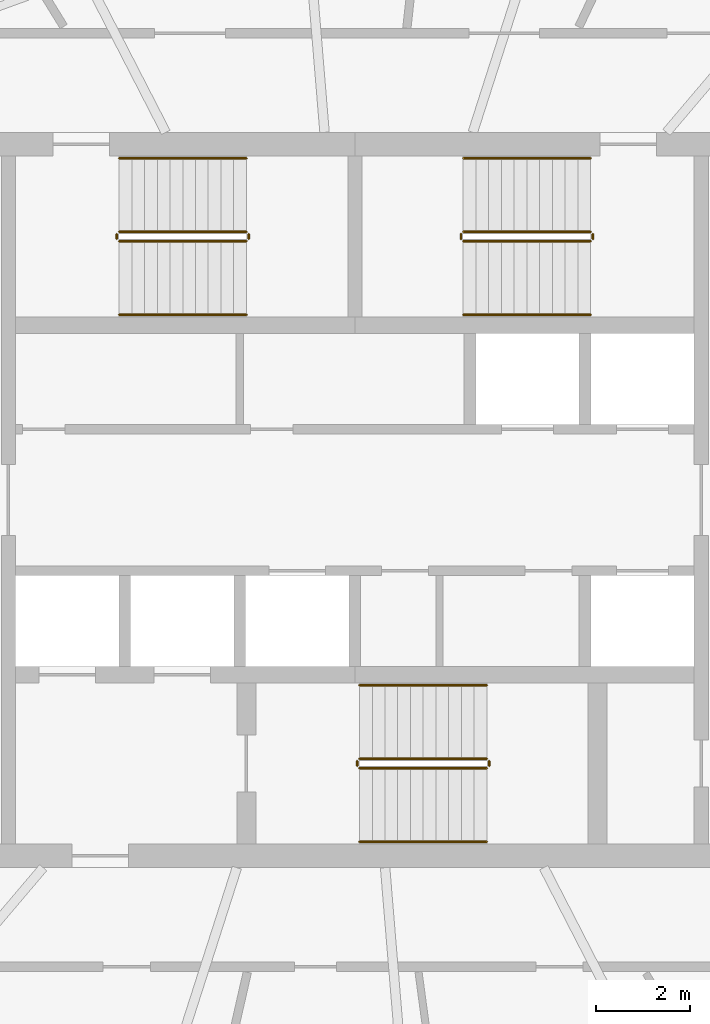
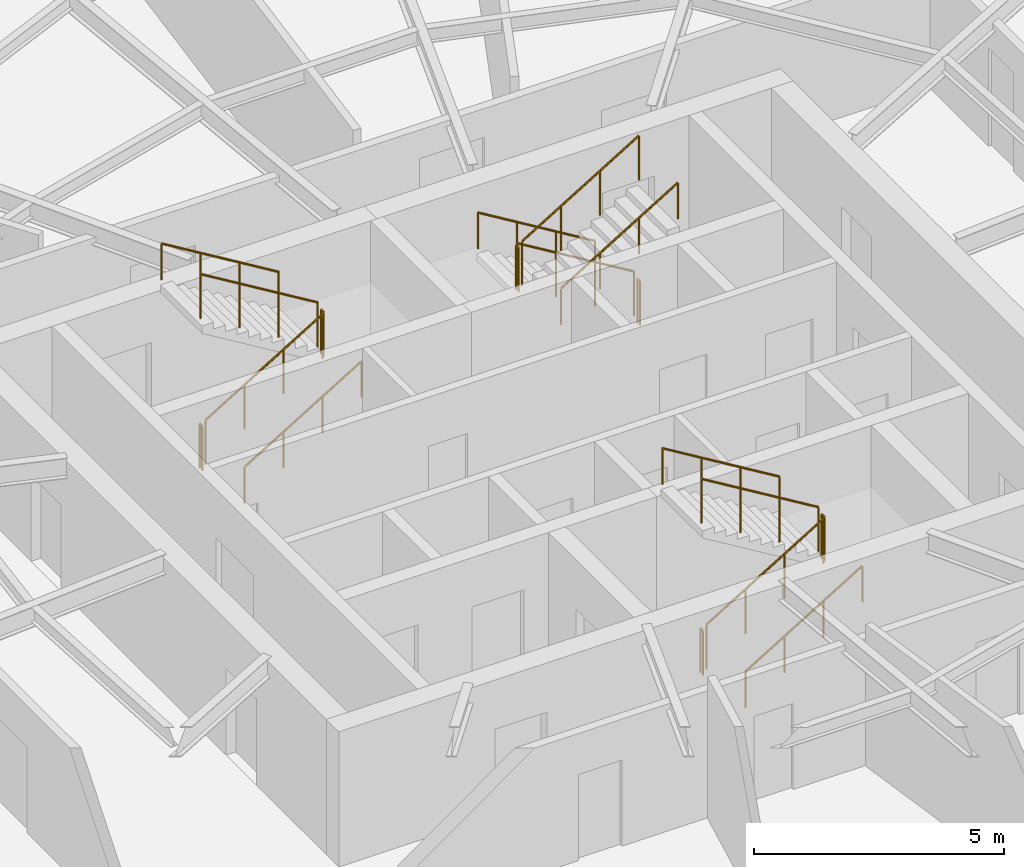
# One storey, part 13 of 14: 18 railings.
"""IFC4 building model written with IfcOpenShell, lengths in metres."""

from ifc_helpers import new_model, si_unit, direction, frame, origin, origin_2d, place, context, subcontext, project, spatial, circle, extrude, material, type_object, element, save


model = new_model("IFC4")

# Units and contexts
model_context = context("Model", 3, precision=1e-05, world=origin(), true_north=direction((0.0, 1.0)))
body_context = subcontext(model_context, "Body", "Model", "MODEL_VIEW")
ifc_project = project(units=[si_unit("LENGTHUNIT", "METRE"), si_unit("AREAUNIT", "SQUARE_METRE"), si_unit("VOLUMEUNIT", "CUBIC_METRE"), si_unit("PLANEANGLEUNIT", "RADIAN"), si_unit("MASSUNIT", "GRAM", prefix="KILO")], contexts=[model_context])

# Site, building, storey
site_placement = place(None, origin())
site = spatial("IfcSite", under=ifc_project, at=site_placement, CompositionType="ELEMENT")
building_placement = place(site_placement, origin())
building = spatial("IfcBuilding", under=site, at=building_placement, Name="Vermilion Reach Broadcast Tower", CompositionType="ELEMENT")
storey_placement = place(building_placement, frame((0.0, 0.0, 268.5)))
storey = spatial("IfcBuildingStorey", under=building, at=storey_placement, Name="L66", CompositionType="ELEMENT", Elevation=268.5)

# Railings
ifc_material_1 = material(Name="Stainless steel", Category="steel")
railing_type_1 = type_object("IfcRailingType", Name="Stair guard 1100", PredefinedType="GUARDRAIL", material=ifc_material_1)
railing_1_placement = place(storey_placement, frame((-11.0, 5.489990234375, 0.16357421875)))
element("IfcRailing", 1, at=railing_1_placement, inside=storey, type_object=railing_type_1, Name="L66 ST1 stair guard 1", PredefinedType="GUARDRAIL", context=body_context, shape_type="SweptSolid", body=[
    extrude(circle(Radius=0.02392578125, at=origin_2d()), frame((0.0, 0.0, 1.076171875), z_axis=(0.855178096276, 0.0, 0.518334277904), x_axis=(0.0, 1.0, 0.0)), (0.0, 0.0, 1.0), 3.1572265625),
    extrude(circle(Radius=0.02099609375, at=origin_2d()), origin(), (0.0, 0.0, 1.0), 1.052001953125),
    extrude(circle(Radius=0.02099609375, at=origin_2d()), frame((0.89990234375, 0.0, 0.54541015625)), (0.0, 0.0, 1.0), 1.052001953125),
    extrude(circle(Radius=0.02099609375, at=origin_2d()), frame((1.800048828125, 0.0, 1.091064453125)), (0.0, 0.0, 1.0), 1.052001953125),
    extrude(circle(Radius=0.02099609375, at=origin_2d()), frame((2.699951171875, 0.0, 1.636474609375)), (0.0, 0.0, 1.0), 1.052001953125),
])
railing_2_placement = place(storey_placement, frame((-8.25, 5.5400390625, 1.800048828125)))
element("IfcRailing", 2, at=railing_2_placement, inside=storey, type_object=railing_type_1, Name="L66 ST1 stair guard 2", PredefinedType="GUARDRAIL", context=body_context, shape_type="SweptSolid", body=[
    extrude(circle(Radius=0.02392578125, at=origin_2d()), frame((0.0, 0.0, 1.076171875), z_axis=(0.0, 1.0, 0.0), x_axis=(-1.0, 0.0, 0.0)), (0.0, 0.0, 1.0), 0.099853515625),
    extrude(circle(Radius=0.02099609375, at=origin_2d()), origin(), (0.0, 0.0, 1.0), 1.052001953125),
    extrude(circle(Radius=0.02099609375, at=origin_2d()), frame((0.0, 0.099853515625, 0.0)), (0.0, 0.0, 1.0), 1.052001953125),
])
railing_3_placement = place(storey_placement, frame((-8.300048828125, 5.68994140625, 1.963623046875)))
element("IfcRailing", 3, at=railing_3_placement, inside=storey, type_object=railing_type_1, Name="L66 ST1 stair guard 3", PredefinedType="GUARDRAIL", context=body_context, shape_type="SweptSolid", body=[
    extrude(circle(Radius=0.02392578125, at=origin_2d()), frame((0.0, 0.0, 1.076171875), z_axis=(-0.855178096276, 0.0, 0.518334277904), x_axis=(0.0, -1.0, 0.0)), (0.0, 0.0, 1.0), 3.1572265625),
    extrude(circle(Radius=0.02099609375, at=origin_2d()), origin(), (0.0, 0.0, 1.0), 1.052001953125),
    extrude(circle(Radius=0.02099609375, at=origin_2d()), frame((-0.89990234375, 0.0, 0.54541015625)), (0.0, 0.0, 1.0), 1.052001953125),
    extrude(circle(Radius=0.02099609375, at=origin_2d()), frame((-1.800048828125, 0.0, 1.091064453125)), (0.0, 0.0, 1.0), 1.052001953125),
    extrude(circle(Radius=0.02099609375, at=origin_2d()), frame((-2.699951171875, 0.0, 1.636474609375)), (0.0, 0.0, 1.0), 1.052001953125),
])
railing_4_placement = place(storey_placement, frame((-11.050048828125, 5.5400390625, 0.0)))
element("IfcRailing", 4, at=railing_4_placement, inside=storey, type_object=railing_type_1, Name="L66 ST1 stair guard 4", PredefinedType="GUARDRAIL", context=body_context, shape_type="SweptSolid", body=[
    extrude(circle(Radius=0.02392578125, at=origin_2d()), frame((0.0, 0.0, 1.076171875), z_axis=(0.0, 1.0, 0.0), x_axis=(-1.0, 0.0, 0.0)), (0.0, 0.0, 1.0), 0.099853515625),
    extrude(circle(Radius=0.02099609375, at=origin_2d()), origin(), (0.0, 0.0, 1.0), 1.052001953125),
    extrude(circle(Radius=0.02099609375, at=origin_2d()), frame((0.0, 0.099853515625, 0.0)), (0.0, 0.0, 1.0), 1.052001953125),
])
railing_5_placement = place(storey_placement, frame((-1.0, 5.68994140625, 0.16357421875)))
element("IfcRailing", 5, at=railing_5_placement, inside=storey, type_object=railing_type_1, Name="L66 ST2 stair guard 1", PredefinedType="GUARDRAIL", context=body_context, shape_type="SweptSolid", body=[
    extrude(circle(Radius=0.02392578125, at=origin_2d()), frame((0.0, 0.0, 1.076171875), z_axis=(-0.855178096276, 0.0, 0.518334277904), x_axis=(0.0, -1.0, 0.0)), (0.0, 0.0, 1.0), 3.1572265625),
    extrude(circle(Radius=0.02099609375, at=origin_2d()), origin(), (0.0, 0.0, 1.0), 1.052001953125),
    extrude(circle(Radius=0.02099609375, at=origin_2d()), frame((-0.89990234375, 0.0, 0.54541015625)), (0.0, 0.0, 1.0), 1.052001953125),
    extrude(circle(Radius=0.02099609375, at=origin_2d()), frame((-1.800048828125, 0.0, 1.091064453125)), (0.0, 0.0, 1.0), 1.052001953125),
    extrude(circle(Radius=0.02099609375, at=origin_2d()), frame((-2.699951171875, 0.0, 1.636474609375)), (0.0, 0.0, 1.0), 1.052001953125),
])
railing_6_placement = place(storey_placement, frame((-3.75, 5.639892578125, 1.800048828125)))
element("IfcRailing", 6, at=railing_6_placement, inside=storey, type_object=railing_type_1, Name="L66 ST2 stair guard 2", PredefinedType="GUARDRAIL", context=body_context, shape_type="SweptSolid", body=[
    extrude(circle(Radius=0.02392578125, at=origin_2d()), frame((0.0, 0.0, 1.076171875), z_axis=(0.0, -1.0, 0.0), x_axis=(1.0, 0.0, 0.0)), (0.0, 0.0, 1.0), 0.099853515625),
    extrude(circle(Radius=0.02099609375, at=origin_2d()), origin(), (0.0, 0.0, 1.0), 1.052001953125),
    extrude(circle(Radius=0.02099609375, at=origin_2d()), frame((0.0, -0.099853515625, 0.0)), (0.0, 0.0, 1.0), 1.052001953125),
])
railing_7_placement = place(storey_placement, frame((-3.699951171875, 5.489990234375, 1.963623046875)))
element("IfcRailing", 7, at=railing_7_placement, inside=storey, type_object=railing_type_1, Name="L66 ST2 stair guard 3", PredefinedType="GUARDRAIL", context=body_context, shape_type="SweptSolid", body=[
    extrude(circle(Radius=0.02392578125, at=origin_2d()), frame((0.0, 0.0, 1.076171875), z_axis=(0.855178096276, 0.0, 0.518334277904), x_axis=(0.0, 1.0, 0.0)), (0.0, 0.0, 1.0), 3.1572265625),
    extrude(circle(Radius=0.02099609375, at=origin_2d()), origin(), (0.0, 0.0, 1.0), 1.052001953125),
    extrude(circle(Radius=0.02099609375, at=origin_2d()), frame((0.89990234375, 0.0, 0.54541015625)), (0.0, 0.0, 1.0), 1.052001953125),
    extrude(circle(Radius=0.02099609375, at=origin_2d()), frame((1.800048828125, 0.0, 1.091064453125)), (0.0, 0.0, 1.0), 1.052001953125),
    extrude(circle(Radius=0.02099609375, at=origin_2d()), frame((2.699951171875, 0.0, 1.636474609375)), (0.0, 0.0, 1.0), 1.052001953125),
])
railing_8_placement = place(storey_placement, frame((-0.949951171875, 5.639892578125, 0.0)))
element("IfcRailing", 8, at=railing_8_placement, inside=storey, type_object=railing_type_1, Name="L66 ST2 stair guard 4", PredefinedType="GUARDRAIL", context=body_context, shape_type="SweptSolid", body=[
    extrude(circle(Radius=0.02392578125, at=origin_2d()), frame((0.0, 0.0, 1.076171875), z_axis=(0.0, -1.0, 0.0), x_axis=(1.0, 0.0, 0.0)), (0.0, 0.0, 1.0), 0.099853515625),
    extrude(circle(Radius=0.02099609375, at=origin_2d()), origin(), (0.0, 0.0, 1.0), 1.052001953125),
    extrude(circle(Radius=0.02099609375, at=origin_2d()), frame((0.0, -0.099853515625, 0.0)), (0.0, 0.0, 1.0), 1.052001953125),
])
railing_9_placement = place(storey_placement, frame((-5.89990234375, -5.68994140625, 0.16357421875)))
element("IfcRailing", 9, at=railing_9_placement, inside=storey, type_object=railing_type_1, Name="L66 ST3 stair guard 1", PredefinedType="GUARDRAIL", context=body_context, shape_type="SweptSolid", body=[
    extrude(circle(Radius=0.02392578125, at=origin_2d()), frame((0.0, 0.0, 1.076171875), z_axis=(0.855178096276, 0.0, 0.518334277904), x_axis=(0.0, 1.0, 0.0)), (0.0, 0.0, 1.0), 3.1572265625),
    extrude(circle(Radius=0.02099609375, at=origin_2d()), origin(), (0.0, 0.0, 1.0), 1.052001953125),
    extrude(circle(Radius=0.02099609375, at=origin_2d()), frame((0.89990234375, 0.0, 0.54541015625)), (0.0, 0.0, 1.0), 1.052001953125),
    extrude(circle(Radius=0.02099609375, at=origin_2d()), frame((1.800048828125, 0.0, 1.091064453125)), (0.0, 0.0, 1.0), 1.052001953125),
    extrude(circle(Radius=0.02099609375, at=origin_2d()), frame((2.699951171875, 0.0, 1.636474609375)), (0.0, 0.0, 1.0), 1.052001953125),
])
railing_10_placement = place(storey_placement, frame((-3.14990234375, -5.639892578125, 1.800048828125)))
element("IfcRailing", 10, at=railing_10_placement, inside=storey, type_object=railing_type_1, Name="L66 ST3 stair guard 2", PredefinedType="GUARDRAIL", context=body_context, shape_type="SweptSolid", body=[
    extrude(circle(Radius=0.02392578125, at=origin_2d()), frame((0.0, 0.0, 1.076171875), z_axis=(0.0, 1.0, 0.0), x_axis=(-1.0, 0.0, 0.0)), (0.0, 0.0, 1.0), 0.099853515625),
    extrude(circle(Radius=0.02099609375, at=origin_2d()), origin(), (0.0, 0.0, 1.0), 1.052001953125),
    extrude(circle(Radius=0.02099609375, at=origin_2d()), frame((0.0, 0.099853515625, 0.0)), (0.0, 0.0, 1.0), 1.052001953125),
])
railing_11_placement = place(storey_placement, frame((-3.199951171875, -5.489990234375, 1.963623046875)))
element("IfcRailing", 11, at=railing_11_placement, inside=storey, type_object=railing_type_1, Name="L66 ST3 stair guard 3", PredefinedType="GUARDRAIL", context=body_context, shape_type="SweptSolid", body=[
    extrude(circle(Radius=0.02392578125, at=origin_2d()), frame((0.0, 0.0, 1.076171875), z_axis=(-0.855178096276, 0.0, 0.518334277904), x_axis=(0.0, -1.0, 0.0)), (0.0, 0.0, 1.0), 3.1572265625),
    extrude(circle(Radius=0.02099609375, at=origin_2d()), origin(), (0.0, 0.0, 1.0), 1.052001953125),
    extrude(circle(Radius=0.02099609375, at=origin_2d()), frame((-0.89990234375, 0.0, 0.54541015625)), (0.0, 0.0, 1.0), 1.052001953125),
    extrude(circle(Radius=0.02099609375, at=origin_2d()), frame((-1.800048828125, 0.0, 1.091064453125)), (0.0, 0.0, 1.0), 1.052001953125),
    extrude(circle(Radius=0.02099609375, at=origin_2d()), frame((-2.699951171875, 0.0, 1.636474609375)), (0.0, 0.0, 1.0), 1.052001953125),
])
railing_12_placement = place(storey_placement, frame((-5.949951171875, -5.639892578125, 0.0)))
element("IfcRailing", 12, at=railing_12_placement, inside=storey, type_object=railing_type_1, Name="L66 ST3 stair guard 4", PredefinedType="GUARDRAIL", context=body_context, shape_type="SweptSolid", body=[
    extrude(circle(Radius=0.02392578125, at=origin_2d()), frame((0.0, 0.0, 1.076171875), z_axis=(0.0, 1.0, 0.0), x_axis=(-1.0, 0.0, 0.0)), (0.0, 0.0, 1.0), 0.099853515625),
    extrude(circle(Radius=0.02099609375, at=origin_2d()), origin(), (0.0, 0.0, 1.0), 1.052001953125),
    extrude(circle(Radius=0.02099609375, at=origin_2d()), frame((0.0, 0.099853515625, 0.0)), (0.0, 0.0, 1.0), 1.052001953125),
])
ifc_material_2 = material(Name="Stainless steel", Category="steel")
railing_type_2 = type_object("IfcRailingType", Name="Stair handrail", PredefinedType="HANDRAIL", material=ifc_material_2)
railing_13_placement = place(storey_placement, frame((-11.0, 3.929931640625, 0.16357421875)))
element("IfcRailing", 13, at=railing_13_placement, inside=storey, type_object=railing_type_2, Name="L66 ST1 stair handrail 1", PredefinedType="HANDRAIL", context=body_context, shape_type="SweptSolid", body=[
    extrude(circle(Radius=0.02392578125, at=origin_2d()), frame((0.0, 0.0, 0.8759765625), z_axis=(0.855178096276, 0.0, 0.518334277904), x_axis=(0.0, 1.0, 0.0)), (0.0, 0.0, 1.0), 3.1572265625),
    extrude(circle(Radius=0.02099609375, at=origin_2d()), origin(), (0.0, 0.0, 1.0), 0.851806640625),
    extrude(circle(Radius=0.02099609375, at=origin_2d()), frame((0.89990234375, 0.0, 0.54541015625)), (0.0, 0.0, 1.0), 0.851806640625),
    extrude(circle(Radius=0.02099609375, at=origin_2d()), frame((1.800048828125, 0.0, 1.091064453125)), (0.0, 0.0, 1.0), 0.851806640625),
    extrude(circle(Radius=0.02099609375, at=origin_2d()), frame((2.699951171875, 0.0, 1.636474609375)), (0.0, 0.0, 1.0), 0.851806640625),
])
for number, where, name in (
    (14, (-8.300048828125, 7.25, 1.963623046875), "L66 ST1 stair handrail 2"),
    (15, (-1.0, 7.25, 0.16357421875), "L66 ST2 stair handrail 1"),
):
    element("IfcRailing", number, at=place(storey_placement, frame(where)), inside=storey, type_object=railing_type_2, Name=name, PredefinedType="HANDRAIL", context=body_context, shape_type="SweptSolid", body=[
        extrude(circle(Radius=0.02392578125, at=origin_2d()), frame((0.0, 0.0, 0.8759765625), z_axis=(-0.855178096276, 0.0, 0.518334277904), x_axis=(0.0, -1.0, 0.0)), (0.0, 0.0, 1.0), 3.1572265625),
        extrude(circle(Radius=0.02099609375, at=origin_2d()), origin(), (0.0, 0.0, 1.0), 0.851806640625),
        extrude(circle(Radius=0.02099609375, at=origin_2d()), frame((-0.89990234375, 0.0, 0.54541015625)), (0.0, 0.0, 1.0), 0.851806640625),
        extrude(circle(Radius=0.02099609375, at=origin_2d()), frame((-1.800048828125, 0.0, 1.091064453125)), (0.0, 0.0, 1.0), 0.851806640625),
        extrude(circle(Radius=0.02099609375, at=origin_2d()), frame((-2.699951171875, 0.0, 1.636474609375)), (0.0, 0.0, 1.0), 0.851806640625),
    ])
for number, where, name in (
    (16, (-3.699951171875, 3.929931640625, 1.963623046875), "L66 ST2 stair handrail 2"),
    (17, (-5.89990234375, -7.25, 0.16357421875), "L66 ST3 stair handrail 1"),
):
    element("IfcRailing", number, at=place(storey_placement, frame(where)), inside=storey, type_object=railing_type_2, Name=name, PredefinedType="HANDRAIL", context=body_context, shape_type="SweptSolid", body=[
        extrude(circle(Radius=0.02392578125, at=origin_2d()), frame((0.0, 0.0, 0.8759765625), z_axis=(0.855178096276, 0.0, 0.518334277904), x_axis=(0.0, 1.0, 0.0)), (0.0, 0.0, 1.0), 3.1572265625),
        extrude(circle(Radius=0.02099609375, at=origin_2d()), origin(), (0.0, 0.0, 1.0), 0.851806640625),
        extrude(circle(Radius=0.02099609375, at=origin_2d()), frame((0.89990234375, 0.0, 0.54541015625)), (0.0, 0.0, 1.0), 0.851806640625),
        extrude(circle(Radius=0.02099609375, at=origin_2d()), frame((1.800048828125, 0.0, 1.091064453125)), (0.0, 0.0, 1.0), 0.851806640625),
        extrude(circle(Radius=0.02099609375, at=origin_2d()), frame((2.699951171875, 0.0, 1.636474609375)), (0.0, 0.0, 1.0), 0.851806640625),
    ])
railing_14_placement = place(storey_placement, frame((-3.199951171875, -3.929931640625, 1.963623046875)))
element("IfcRailing", 18, at=railing_14_placement, inside=storey, type_object=railing_type_2, Name="L66 ST3 stair handrail 2", PredefinedType="HANDRAIL", context=body_context, shape_type="SweptSolid", body=[
    extrude(circle(Radius=0.02392578125, at=origin_2d()), frame((0.0, 0.0, 0.8759765625), z_axis=(-0.855178096276, 0.0, 0.518334277904), x_axis=(0.0, -1.0, 0.0)), (0.0, 0.0, 1.0), 3.1572265625),
    extrude(circle(Radius=0.02099609375, at=origin_2d()), origin(), (0.0, 0.0, 1.0), 0.851806640625),
    extrude(circle(Radius=0.02099609375, at=origin_2d()), frame((-0.89990234375, 0.0, 0.54541015625)), (0.0, 0.0, 1.0), 0.851806640625),
    extrude(circle(Radius=0.02099609375, at=origin_2d()), frame((-1.800048828125, 0.0, 1.091064453125)), (0.0, 0.0, 1.0), 0.851806640625),
    extrude(circle(Radius=0.02099609375, at=origin_2d()), frame((-2.699951171875, 0.0, 1.636474609375)), (0.0, 0.0, 1.0), 0.851806640625),
])

save(model, "model.ifc")
